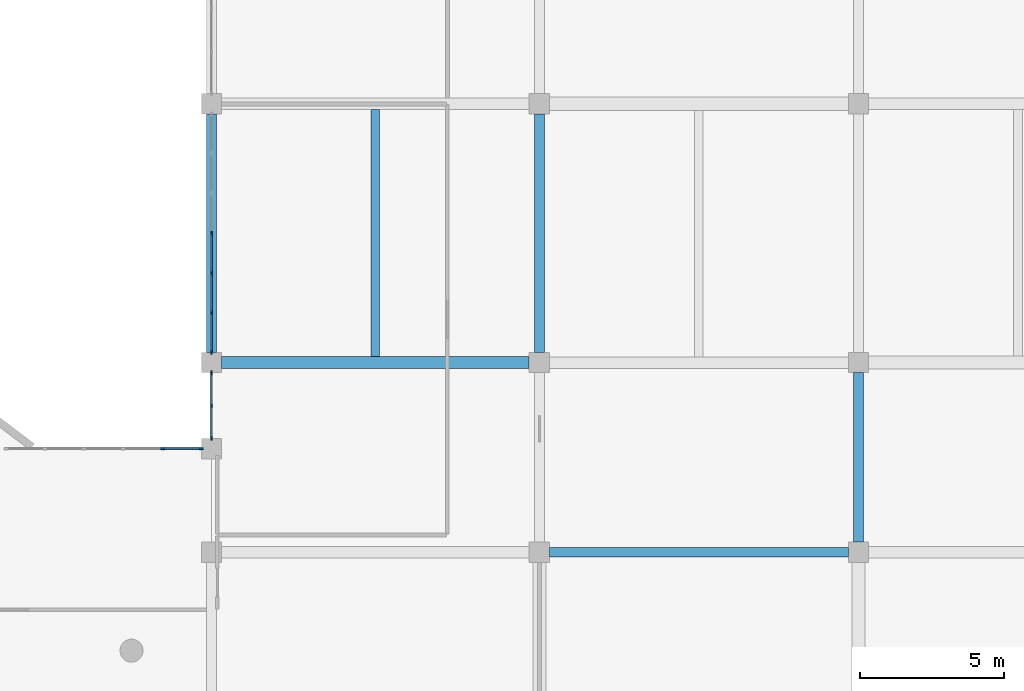
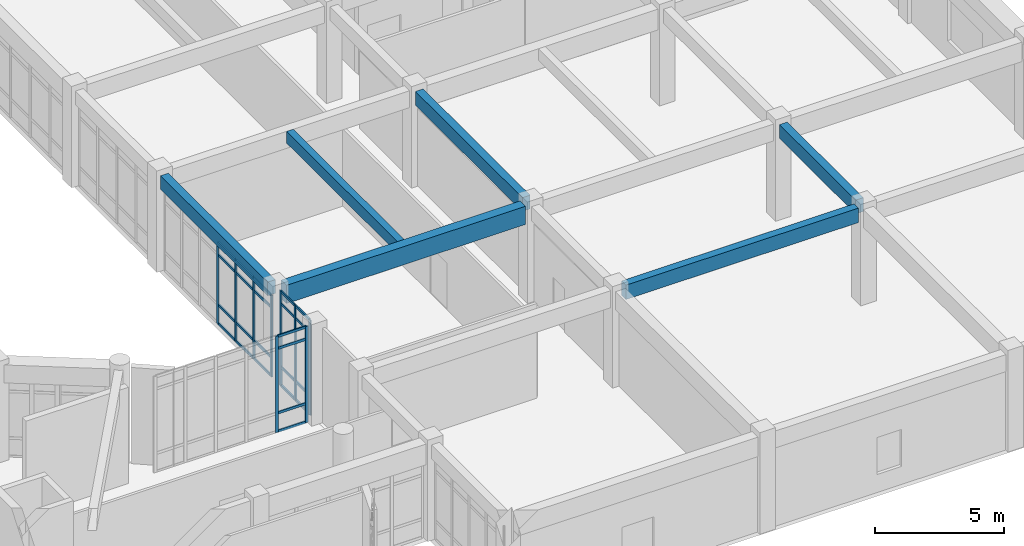
# One storey, part 25 of 65: 33 members, 6 beams, 3 elements without a shape of their own.
"""IFC4 building model written with IfcOpenShell, lengths in metres."""

import ifcopenshell
import ifcopenshell.guid

model = None  # the IFC model being written
_history = None  # IfcOwnerHistory: only IFC2X3 demands one
_inside = {}  # id of a spatial element -> (the spatial element, [elements in it])
_under = {}  # id of a project, library or spatial element -> (it, [spatial elements below it])
_declared = {}  # id of a project -> (the project, [libraries it declares])
_typed = {}  # id of a type object -> (the type object, [elements of that type])
_made_of = {}  # id of a material, layer set ... -> (it, [elements and type objects made of it])


def new_model(schema):
    """Start an empty IFC model of exactly this schema.

    Asked for "IFC4X3", IfcOpenShell would pick the latest addendum, in which some entities
    have other attributes; the version numbers below select the first issue.
    IFC2X3 requires an IfcOwnerHistory on every rooted entity: one is made here for all.
    """
    global model, _history
    if schema == "IFC4X3":
        model = ifcopenshell.file(schema_version=(4, 3, 0, 0))
    else:
        model = ifcopenshell.file(schema=schema)
    _inside.clear()
    _under.clear()
    _declared.clear()
    _typed.clear()
    _made_of.clear()
    _history = None
    if model.schema == "IFC2X3":
        org = make("IfcOrganization", Name="unknown")
        user = make(
            "IfcPersonAndOrganization",
            ThePerson=make("IfcPerson", FamilyName="unknown"),
            TheOrganization=org,
        )
        app = make(
            "IfcApplication",
            ApplicationDeveloper=org,
            Version="unknown",
            ApplicationFullName="unknown",
            ApplicationIdentifier="unknown",
        )
        _history = make(
            "IfcOwnerHistory",
            OwningUser=user,
            OwningApplication=app,
            ChangeAction="ADDED",
            CreationDate=0,
        )
    return model


def make(cls, **values):
    """One entity of the class cls with the attributes given. An attribute that is None is left unset."""
    return model.create_entity(
        cls, **{name: value for name, value in values.items() if value is not None}
    )


def rooted(cls, **values):
    """An entity with a GlobalId (a new one), such as an element, a storey or a relation."""
    return make(cls, GlobalId=ifcopenshell.guid.new(), OwnerHistory=_history, **values)


def si_unit(unit_type, name, prefix=None):
    """IfcSIUnit, for example si_unit("LENGTHUNIT", "METRE", prefix="MILLI")."""
    return make("IfcSIUnit", UnitType=unit_type, Prefix=prefix, Name=name)


def assignment(units):
    """IfcUnitAssignment: the units of a project."""
    return None if units is None else make("IfcUnitAssignment", Units=units)


def point(xyz):
    """IfcCartesianPoint."""
    return None if xyz is None else make("IfcCartesianPoint", Coordinates=xyz)


def direction(xyz):
    """IfcDirection."""
    return None if xyz is None else make("IfcDirection", DirectionRatios=xyz)


def frame(location, z_axis=None, x_axis=None):
    """IfcAxis2Placement3D, a coordinate frame: its origin and axes. An axis left out is left unset."""
    return make(
        "IfcAxis2Placement3D",
        Location=point(location),
        Axis=direction(z_axis),
        RefDirection=direction(x_axis),
    )


def frame_2d(location, x_axis=None):
    """IfcAxis2Placement2D, a coordinate frame in the plane: its origin and x axis."""
    return make(
        "IfcAxis2Placement2D", Location=point(location), RefDirection=direction(x_axis)
    )


def origin():
    """The frame at (0, 0, 0) with its axes left unset."""
    return frame((0.0, 0.0, 0.0))


def origin_2d():
    """The frame at (0, 0) in the plane with its x axis left unset."""
    return frame_2d((0.0, 0.0))


def place(relative_to, where):
    """IfcLocalPlacement: puts the frame where relative to a parent placement (None: the world)."""
    return make(
        "IfcLocalPlacement", PlacementRelTo=relative_to, RelativePlacement=where
    )


def context(
    kind, dimensions, precision=None, world=None, true_north=None, identifier=None
):
    """IfcGeometricRepresentationContext, for example the 3D "Model" context."""
    return make(
        "IfcGeometricRepresentationContext",
        ContextIdentifier=identifier,
        ContextType=kind,
        CoordinateSpaceDimension=dimensions,
        Precision=precision,
        WorldCoordinateSystem=world,
        TrueNorth=true_north,
    )


def subcontext(parent, identifier, kind, view, scale=None):
    """IfcGeometricRepresentationSubContext, for example "Body" below "Model"."""
    return make(
        "IfcGeometricRepresentationSubContext",
        ContextIdentifier=identifier,
        ContextType=kind,
        ParentContext=parent,
        TargetScale=scale,
        TargetView=view,
    )


def project(units=None, contexts=None):
    """IfcProject with its units and contexts."""
    return rooted(
        "IfcProject",
        Name="project",
        RepresentationContexts=contexts,
        UnitsInContext=assignment(units),
    )


def spatial(cls, under=None, at=None, **own):
    """A site, building, storey or space (cls), placed at a placement, below another one or the project."""
    s = rooted(cls, ObjectPlacement=at, **own)
    if under is not None:
        _under.setdefault(under.id(), (under, []))[1].append(s)
    return s


def profile(cls, at=None, kind="AREA", **sizes):
    """A parametric profile (cls). Its sizes go by their IFC names, for example OverallWidth=200.0."""
    return make(cls, ProfileType=kind, Position=at, **sizes)


def rectangle(**sizes):
    """IfcRectangleProfileDef."""
    return profile("IfcRectangleProfileDef", **sizes)


def extrude(swept, where, along, depth):
    """IfcExtrudedAreaSolid: the profile swept, set in the frame where, extruded along a direction by depth."""
    return make(
        "IfcExtrudedAreaSolid",
        SweptArea=swept,
        Position=where,
        ExtrudedDirection=direction(along),
        Depth=depth,
    )


def shape(context_of_items, identifier, shape_type, items):
    """IfcShapeRepresentation: the items that make up one representation, for example the "Body"."""
    return make(
        "IfcShapeRepresentation",
        ContextOfItems=context_of_items,
        RepresentationIdentifier=identifier,
        RepresentationType=shape_type,
        Items=items,
    )


def material(Name=None, Category=None):
    """IfcMaterial."""
    return make("IfcMaterial", Name=Name, Category=Category)


def layer(
    of_material, thickness, ventilated=None, Name=None, Category=None, Priority=None
):
    """IfcMaterialLayer: one layer of a wall or slab, of a material (None: an air gap)."""
    return make(
        "IfcMaterialLayer",
        Material=of_material,
        LayerThickness=thickness,
        IsVentilated=ventilated,
        Name=Name,
        Category=Category,
        Priority=Priority,
    )


def layer_set(layers, Name=None):
    """IfcMaterialLayerSet."""
    return make("IfcMaterialLayerSet", MaterialLayers=layers, LayerSetName=Name)


def material_profile(
    of_material, cross_section, Name=None, Category=None, Priority=None
):
    """IfcMaterialProfile: a cross section and its material."""
    return make(
        "IfcMaterialProfile",
        Name=Name,
        Material=of_material,
        Profile=cross_section,
        Priority=Priority,
        Category=Category,
    )


def profile_set(profiles, Name=None, composite=None):
    """IfcMaterialProfileSet."""
    return make(
        "IfcMaterialProfileSet",
        Name=Name,
        MaterialProfiles=profiles,
        CompositeProfile=composite,
    )


def made_of(thing, what):
    """Note that an element or type object is made of a material, layer set ...; save() writes the relation."""
    if what is not None:
        _made_of.setdefault(what.id(), (what, []))[1].append(thing)
    return thing


def type_object(cls, material=None, **own):
    """A type object (cls), such as IfcWallType, which elements share."""
    return made_of(rooted(cls, **own), material)


def element(
    cls,
    number,
    at=None,
    inside=None,
    cuts=None,
    type_object=None,
    material=None,
    context=None,
    identifier="Body",
    shape_type=None,
    held_by="IfcProductDefinitionShape",
    body=None,
    shapes=None,
    **own,
):
    """One element of the class cls, such as IfcWall. Its Tag is "e" and its number.

    at: its placement. inside: the storey or other place that contains it. cuts: it is an
    opening in that element (IfcRelVoidsElement). A single representation is given by context,
    identifier, shape_type and body (its items); several are given by shapes. held_by: the class
    of the entity that holds the representations. save() writes the other relations.
    """
    e = rooted(cls, Tag="e%d" % number, ObjectPlacement=at, **own)
    if body is not None:
        shapes = [shape(context, identifier, shape_type, body)]
    if shapes is not None:
        e.Representation = make(held_by, Representations=shapes)
    if inside is not None:
        _inside.setdefault(inside.id(), (inside, []))[1].append(e)
    if cuts is not None:
        rooted(
            "IfcRelVoidsElement", RelatingBuildingElement=cuts, RelatedOpeningElement=e
        )
    if type_object is not None:
        _typed.setdefault(type_object.id(), (type_object, []))[1].append(e)
    return made_of(e, material)


def aggregate(whole, parts):
    """IfcRelAggregates: a whole, such as a stair, and the parts it consists of."""
    return rooted("IfcRelAggregates", RelatingObject=whole, RelatedObjects=parts)


def save(model, path):
    """Write the relations noted so far, then the file.

    IfcRelAggregates (storeys below a building ...), IfcRelContainedInSpatialStructure (elements
    in a storey), IfcRelDefinesByType, IfcRelAssociatesMaterial and IfcRelDeclares: one each for
    every whole, place, type object, material and project.
    """
    for whole, parts in _under.values():
        aggregate(whole, parts)
    for where, things in _inside.values():
        rooted(
            "IfcRelContainedInSpatialStructure",
            RelatedElements=things,
            RelatingStructure=where,
        )
    for kind, things in _typed.values():
        rooted("IfcRelDefinesByType", RelatedObjects=things, RelatingType=kind)
    for what, things in _made_of.values():
        rooted("IfcRelAssociatesMaterial", RelatedObjects=things, RelatingMaterial=what)
    for by, libraries in _declared.values():
        rooted("IfcRelDeclares", RelatingContext=by, RelatedDefinitions=libraries)
    model.write(path)


model = new_model("IFC4")

# Units and contexts
model_context = context("Model", 3, precision=1e-05, world=origin(), true_north=direction((0.0, 1.0)))
body_context = subcontext(model_context, "Body", "Model", "MODEL_VIEW")
ifc_project = project(units=[si_unit("LENGTHUNIT", "METRE"), si_unit("AREAUNIT", "SQUARE_METRE"), si_unit("VOLUMEUNIT", "CUBIC_METRE"), si_unit("PLANEANGLEUNIT", "RADIAN"), si_unit("MASSUNIT", "GRAM", prefix="KILO")], contexts=[model_context])

# Site, building, storey
site_placement = place(None, origin())
site = spatial("IfcSite", under=ifc_project, at=site_placement, CompositionType="ELEMENT")
building_placement = place(site_placement, origin())
building = spatial("IfcBuilding", under=site, at=building_placement, Name="Miralva Faculty of Natural Sciences", CompositionType="ELEMENT")
storey_placement = place(building_placement, frame((0.0, 0.0, 10.199951171875)))
storey = spatial("IfcBuildingStorey", under=building, at=storey_placement, Name="L02", CompositionType="ELEMENT", Elevation=10.199951171875)

# Beams
ifc_material_1 = material(Name="Concrete C40/50", Category="concrete")
ifc_material_profile_1 = material_profile(ifc_material_1, rectangle(XDim=0.35009765625, YDim=0.64990234375, at=origin_2d()), Name="RC 350x650")
ifc_profile_set_1 = profile_set([ifc_material_profile_1], Name="Concrete C40/50")
beam_type_1 = type_object("IfcBeamType", Name="BM-B05", PredefinedType="BEAM", material=ifc_profile_set_1)
for number, where, z_axis, x_axis, name in (
    (1, (133.800048828125, 30.35009765625, 4.195068359375), (0.0, 1.0, 0.0), (-1.0, 0.0, 0.0), "Girder NS L02-122"),
    (2, (145.199951171875, 30.35009765625, 4.195068359375), (0.0, 1.0, 0.0), (-1.0, 0.0, 0.0), "Girder NS L02-129"),
):
    element("IfcBeam", number, at=place(storey_placement, frame(where, z_axis=z_axis, x_axis=x_axis)), inside=storey, type_object=beam_type_1, Name=name, PredefinedType="BEAM", context=body_context, shape_type="SweptSolid", body=[
        extrude(rectangle(XDim=0.35009765625, YDim=0.64990234375, at=origin_2d()), origin(), (0.0, 0.0, 1.0), 8.2998046875),
    ])
beam_1_placement = place(storey_placement, frame((156.300048828125, 23.75, 4.195068359375), z_axis=(0.0, 1.0, 0.0), x_axis=(-1.0, 0.0, 0.0)))
element("IfcBeam", 3, at=beam_1_placement, inside=storey, type_object=beam_type_1, Name="Girder NS L02-135", PredefinedType="BEAM", context=body_context, shape_type="SweptSolid", body=[
    extrude(rectangle(XDim=0.35009765625, YDim=0.64990234375, at=origin_2d()), origin(), (0.0, 0.0, 1.0), 5.89990234375),
])
ifc_material_profile_2 = material_profile(ifc_material_1, rectangle(XDim=0.340087890625, YDim=0.679931640625, at=origin_2d()), Name="RC 340x680")
ifc_profile_set_2 = profile_set([ifc_material_profile_2], Name="Concrete C40/50")
beam_type_2 = type_object("IfcBeamType", Name="BM-BG04", PredefinedType="BEAM", material=ifc_profile_set_2)
beam_2_placement = place(storey_placement, frame((145.550048828125, 23.39990234375, 4.179931640625), z_axis=(1.0, 0.0, 0.0), x_axis=(0.0, 1.0, 0.0)))
element("IfcBeam", 4, at=beam_2_placement, inside=storey, type_object=beam_type_2, Name="Girder EW L02-23", PredefinedType="BEAM", context=body_context, shape_type="SweptSolid", body=[
    extrude(rectangle(XDim=0.340087890625, YDim=0.679931640625, at=origin_2d()), origin(), (0.0, 0.0, 1.0), 10.39990234375),
])
ifc_material_profile_3 = material_profile(ifc_material_1, rectangle(XDim=0.419921875, YDim=0.860107421875, at=origin_2d()), Name="RC 420x860")
ifc_profile_set_3 = profile_set([ifc_material_profile_3], Name="Concrete C40/50")
beam_type_3 = type_object("IfcBeamType", Name="BM-BG12", PredefinedType="BEAM", material=ifc_profile_set_3)
beam_3_placement = place(storey_placement, frame((134.14990234375, 30.0, 4.090087890625), z_axis=(1.0, 0.0, 0.0), x_axis=(0.0, 1.0, 0.0)))
element("IfcBeam", 5, at=beam_3_placement, inside=storey, type_object=beam_type_3, Name="Girder EW L02-31", PredefinedType="BEAM", context=body_context, shape_type="SweptSolid", body=[
    extrude(rectangle(XDim=0.419921875, YDim=0.860107421875, at=origin_2d()), origin(), (0.0, 0.0, 1.0), 10.7001953125),
])
ifc_material_profile_4 = material_profile(ifc_material_1, rectangle(XDim=0.300048828125, YDim=0.550048828125, at=origin_2d()), Name="RC 300x550")
ifc_profile_set_4 = profile_set([ifc_material_profile_4], Name="Concrete C40/50")
beam_type_4 = type_object("IfcBeamType", Name="BM-J02", PredefinedType="JOIST", material=ifc_profile_set_4)
beam_4_placement = place(storey_placement, frame((139.5, 30.2099609375, 4.2451171875), z_axis=(0.0, 1.0, 0.0), x_axis=(-1.0, 0.0, 0.0)))
element("IfcBeam", 6, at=beam_4_placement, inside=storey, type_object=beam_type_4, Name="Floor joist L02-9", PredefinedType="JOIST", context=body_context, shape_type="SweptSolid", body=[
    extrude(rectangle(XDim=0.300048828125, YDim=0.550048828125, at=origin_2d()), origin(), (0.0, 0.0, 1.0), 8.590087890625),
])

# Curtain wall, members
ifc_material_2 = material(Name="Laminated solar-control glass", Category="glass")
ifc_layer = layer(ifc_material_2, 0.179931640625, Name="CW-COM-L01")
ifc_layer_set = layer_set([ifc_layer], Name="Laminated solar-control glass")
curtain_wall_type = type_object("IfcCurtainWallType", Name="CW-COM-L01", PredefinedType="USERDEFINED", material=ifc_layer_set)
curtain_wall_1_placement = place(storey_placement, origin())
curtain_wall_1 = element("IfcCurtainWall", 7, at=curtain_wall_1_placement, inside=storey, type_object=curtain_wall_type, Name="Curtain wall CW-10 L02-269", ObjectType="UNITISED CURTAIN WALL", PredefinedType="USERDEFINED")
ifc_material_3 = material(Name="Anodised aluminium", Category="aluminium")
ifc_material_profile_5 = material_profile(ifc_material_3, rectangle(XDim=0.06005859375, YDim=0.139892578125, at=origin_2d()), Name="MULLION 60x140")
ifc_profile_set_5 = profile_set([ifc_material_profile_5], Name="Anodised aluminium")
member_type_1 = type_object("IfcMemberType", Name="CW-M03", PredefinedType="MULLION", material=ifc_profile_set_5)
member_1_placement = place(storey_placement, frame((133.800048828125, 27.364990234375, 0.0), z_axis=(0.0, 0.0, 1.0), x_axis=(-1.0, 0.0, 0.0)))
member_1 = element("IfcMember", 8, at=member_1_placement, type_object=member_type_1, Name="CW-10 mullion 1", PredefinedType="MULLION", context=body_context, shape_type="SweptSolid", body=[
    extrude(rectangle(XDim=0.06005859375, YDim=0.139892578125, at=origin_2d()), origin(), (0.0, 0.0, 1.0), 4.5),
])
member_2_placement = place(storey_placement, frame((133.800048828125, 28.5, 0.0), z_axis=(0.0, 0.0, 1.0), x_axis=(-1.0, 0.0, 0.0)))
member_2 = element("IfcMember", 9, at=member_2_placement, type_object=member_type_1, Name="CW-10 mullion 2", PredefinedType="MULLION", context=body_context, shape_type="SweptSolid", body=[
    extrude(rectangle(XDim=0.06005859375, YDim=0.139892578125, at=origin_2d()), origin(), (0.0, 0.0, 1.0), 4.5),
])
member_3_placement = place(storey_placement, frame((133.800048828125, 29.635009765625, 0.0), z_axis=(0.0, 0.0, 1.0), x_axis=(-1.0, 0.0, 0.0)))
member_3 = element("IfcMember", 10, at=member_3_placement, type_object=member_type_1, Name="CW-10 mullion 3", PredefinedType="MULLION", context=body_context, shape_type="SweptSolid", body=[
    extrude(rectangle(XDim=0.06005859375, YDim=0.139892578125, at=origin_2d()), origin(), (0.0, 0.0, 1.0), 4.5),
])

curtain_wall_2_placement = place(storey_placement, origin())
curtain_wall_2 = element("IfcCurtainWall", 11, at=curtain_wall_2_placement, inside=storey, type_object=curtain_wall_type, Name="Curtain wall CW-10 L02-270", ObjectType="UNITISED CURTAIN WALL", PredefinedType="USERDEFINED")
member_4_placement = place(storey_placement, frame((133.800048828125, 30.364990234375, 0.0), z_axis=(0.0, 0.0, 1.0), x_axis=(-1.0, 0.0, 0.0)))
member_4 = element("IfcMember", 12, at=member_4_placement, type_object=member_type_1, Name="CW-10 mullion 1", PredefinedType="MULLION", context=body_context, shape_type="SweptSolid", body=[
    extrude(rectangle(XDim=0.06005859375, YDim=0.139892578125, at=origin_2d()), origin(), (0.0, 0.0, 1.0), 3.864990234375),
])
member_5_placement = place(storey_placement, frame((133.800048828125, 31.723388671875, 0.0), z_axis=(0.0, 0.0, 1.0), x_axis=(-1.0, 0.0, 0.0)))
member_5 = element("IfcMember", 13, at=member_5_placement, type_object=member_type_1, Name="CW-10 mullion 2", PredefinedType="MULLION", context=body_context, shape_type="SweptSolid", body=[
    extrude(rectangle(XDim=0.06005859375, YDim=0.139892578125, at=origin_2d()), origin(), (0.0, 0.0, 1.0), 3.864990234375),
])
member_6_placement = place(storey_placement, frame((133.800048828125, 33.111572265625, 0.0), z_axis=(0.0, 0.0, 1.0), x_axis=(-1.0, 0.0, 0.0)))
member_6 = element("IfcMember", 14, at=member_6_placement, type_object=member_type_1, Name="CW-10 mullion 3", PredefinedType="MULLION", context=body_context, shape_type="SweptSolid", body=[
    extrude(rectangle(XDim=0.06005859375, YDim=0.139892578125, at=origin_2d()), origin(), (0.0, 0.0, 1.0), 3.864990234375),
])
member_7_placement = place(storey_placement, frame((133.800048828125, 34.5, 0.0), z_axis=(0.0, 0.0, 1.0), x_axis=(-1.0, 0.0, 0.0)))
member_7 = element("IfcMember", 15, at=member_7_placement, type_object=member_type_1, Name="CW-10 mullion 4", PredefinedType="MULLION", context=body_context, shape_type="SweptSolid", body=[
    extrude(rectangle(XDim=0.06005859375, YDim=0.139892578125, at=origin_2d()), origin(), (0.0, 0.0, 1.0), 3.864990234375),
])

curtain_wall_3_placement = place(storey_placement, origin())
curtain_wall_3 = element("IfcCurtainWall", 16, at=curtain_wall_3_placement, inside=storey, type_object=curtain_wall_type, Name="Curtain wall CW-10 L02-299", ObjectType="UNITISED CURTAIN WALL", PredefinedType="USERDEFINED")
member_8_placement = place(storey_placement, frame((132.095947265625, 27.0, 0.0), z_axis=(0.0, 0.0, 1.0), x_axis=(0.0, 1.0, 0.0)))
member_8 = element("IfcMember", 17, at=member_8_placement, type_object=member_type_1, Name="CW-10 mullion 5", PredefinedType="MULLION", context=body_context, shape_type="SweptSolid", body=[
    extrude(rectangle(XDim=0.06005859375, YDim=0.139892578125, at=origin_2d()), origin(), (0.0, 0.0, 1.0), 4.550048828125),
])
member_9_placement = place(storey_placement, frame((133.43505859375, 27.0, 0.0), z_axis=(0.0, 0.0, 1.0), x_axis=(0.0, 1.0, 0.0)))
member_9 = element("IfcMember", 18, at=member_9_placement, type_object=member_type_1, Name="CW-10 mullion 6", PredefinedType="MULLION", context=body_context, shape_type="SweptSolid", body=[
    extrude(rectangle(XDim=0.06005859375, YDim=0.139892578125, at=origin_2d()), origin(), (0.0, 0.0, 1.0), 4.550048828125),
])

# Member
ifc_material_profile_6 = material_profile(ifc_material_3, rectangle(XDim=0.06005859375, YDim=0.1201171875, at=origin_2d()), Name="TRANSOM 60x120")
ifc_profile_set_6 = profile_set([ifc_material_profile_6], Name="Anodised aluminium")
member_type_2 = type_object("IfcMemberType", Name="CW-T02", PredefinedType="USERDEFINED", material=ifc_profile_set_6)
member_10_placement = place(storey_placement, frame((133.800048828125, 27.39501953125, 0.030029296875), z_axis=(0.0, 1.0, 0.0), x_axis=(-1.0, 0.0, 0.0)))
member_10 = element("IfcMember", 19, at=member_10_placement, type_object=member_type_2, Name="CW-10 transom 1.1", ObjectType="TRANSOM", PredefinedType="USERDEFINED", context=body_context, shape_type="SweptSolid", body=[
    extrude(rectangle(XDim=0.06005859375, YDim=0.1201171875, at=origin_2d()), origin(), (0.0, 0.0, 1.0), 1.074951171875),
])

member_11_placement = place(storey_placement, frame((133.800048828125, 27.39501953125, 0.900146484375), z_axis=(0.0, 1.0, 0.0), x_axis=(-1.0, 0.0, 0.0)))
member_11 = element("IfcMember", 20, at=member_11_placement, type_object=member_type_2, Name="CW-10 transom 1.2", ObjectType="TRANSOM", PredefinedType="USERDEFINED", context=body_context, shape_type="SweptSolid", body=[
    extrude(rectangle(XDim=0.06005859375, YDim=0.1201171875, at=origin_2d()), origin(), (0.0, 0.0, 1.0), 1.074951171875),
])

member_12_placement = place(storey_placement, frame((133.800048828125, 27.39501953125, 3.900146484375), z_axis=(0.0, 1.0, 0.0), x_axis=(-1.0, 0.0, 0.0)))
member_12 = element("IfcMember", 21, at=member_12_placement, type_object=member_type_2, Name="CW-10 transom 1.3", ObjectType="TRANSOM", PredefinedType="USERDEFINED", context=body_context, shape_type="SweptSolid", body=[
    extrude(rectangle(XDim=0.06005859375, YDim=0.1201171875, at=origin_2d()), origin(), (0.0, 0.0, 1.0), 1.074951171875),
])

member_13_placement = place(storey_placement, frame((133.800048828125, 27.39501953125, 4.469970703125), z_axis=(0.0, 1.0, 0.0), x_axis=(-1.0, 0.0, 0.0)))
member_13 = element("IfcMember", 22, at=member_13_placement, type_object=member_type_2, Name="CW-10 transom 1.4", ObjectType="TRANSOM", PredefinedType="USERDEFINED", context=body_context, shape_type="SweptSolid", body=[
    extrude(rectangle(XDim=0.06005859375, YDim=0.1201171875, at=origin_2d()), origin(), (0.0, 0.0, 1.0), 1.074951171875),
])

member_14_placement = place(storey_placement, frame((133.800048828125, 28.530029296875, 0.030029296875), z_axis=(0.0, 1.0, 0.0), x_axis=(-1.0, 0.0, 0.0)))
member_14 = element("IfcMember", 23, at=member_14_placement, type_object=member_type_2, Name="CW-10 transom 2.1", ObjectType="TRANSOM", PredefinedType="USERDEFINED", context=body_context, shape_type="SweptSolid", body=[
    extrude(rectangle(XDim=0.06005859375, YDim=0.1201171875, at=origin_2d()), origin(), (0.0, 0.0, 1.0), 1.074951171875),
])

member_15_placement = place(storey_placement, frame((133.800048828125, 28.530029296875, 0.900146484375), z_axis=(0.0, 1.0, 0.0), x_axis=(-1.0, 0.0, 0.0)))
member_15 = element("IfcMember", 24, at=member_15_placement, type_object=member_type_2, Name="CW-10 transom 2.2", ObjectType="TRANSOM", PredefinedType="USERDEFINED", context=body_context, shape_type="SweptSolid", body=[
    extrude(rectangle(XDim=0.06005859375, YDim=0.1201171875, at=origin_2d()), origin(), (0.0, 0.0, 1.0), 1.074951171875),
])

member_16_placement = place(storey_placement, frame((133.800048828125, 28.530029296875, 3.900146484375), z_axis=(0.0, 1.0, 0.0), x_axis=(-1.0, 0.0, 0.0)))
member_16 = element("IfcMember", 25, at=member_16_placement, type_object=member_type_2, Name="CW-10 transom 2.3", ObjectType="TRANSOM", PredefinedType="USERDEFINED", context=body_context, shape_type="SweptSolid", body=[
    extrude(rectangle(XDim=0.06005859375, YDim=0.1201171875, at=origin_2d()), origin(), (0.0, 0.0, 1.0), 1.074951171875),
])

member_17_placement = place(storey_placement, frame((133.800048828125, 28.530029296875, 4.469970703125), z_axis=(0.0, 1.0, 0.0), x_axis=(-1.0, 0.0, 0.0)))
member_17 = element("IfcMember", 26, at=member_17_placement, type_object=member_type_2, Name="CW-10 transom 2.4", ObjectType="TRANSOM", PredefinedType="USERDEFINED", context=body_context, shape_type="SweptSolid", body=[
    extrude(rectangle(XDim=0.06005859375, YDim=0.1201171875, at=origin_2d()), origin(), (0.0, 0.0, 1.0), 1.074951171875),
])

aggregate(curtain_wall_1, [member_1, member_2, member_3, member_10, member_11, member_12, member_13, member_14, member_15, member_16, member_17])

member_18_placement = place(storey_placement, frame((133.800048828125, 30.39501953125, 0.030029296875), z_axis=(0.0, 1.0, 0.0), x_axis=(-1.0, 0.0, 0.0)))
member_18 = element("IfcMember", 27, at=member_18_placement, type_object=member_type_2, Name="CW-10 transom 1.1", ObjectType="TRANSOM", PredefinedType="USERDEFINED", context=body_context, shape_type="SweptSolid", body=[
    extrude(rectangle(XDim=0.06005859375, YDim=0.1201171875, at=origin_2d()), origin(), (0.0, 0.0, 1.0), 1.29833984375),
])

member_19_placement = place(storey_placement, frame((133.800048828125, 30.39501953125, 0.900146484375), z_axis=(0.0, 1.0, 0.0), x_axis=(-1.0, 0.0, 0.0)))
member_19 = element("IfcMember", 28, at=member_19_placement, type_object=member_type_2, Name="CW-10 transom 1.2", ObjectType="TRANSOM", PredefinedType="USERDEFINED", context=body_context, shape_type="SweptSolid", body=[
    extrude(rectangle(XDim=0.06005859375, YDim=0.1201171875, at=origin_2d()), origin(), (0.0, 0.0, 1.0), 1.29833984375),
])

member_20_placement = place(storey_placement, frame((133.800048828125, 30.39501953125, 3.26513671875), z_axis=(0.0, 1.0, 0.0), x_axis=(-1.0, 0.0, 0.0)))
member_20 = element("IfcMember", 29, at=member_20_placement, type_object=member_type_2, Name="CW-10 transom 1.3", ObjectType="TRANSOM", PredefinedType="USERDEFINED", context=body_context, shape_type="SweptSolid", body=[
    extrude(rectangle(XDim=0.06005859375, YDim=0.1201171875, at=origin_2d()), origin(), (0.0, 0.0, 1.0), 1.29833984375),
])

member_21_placement = place(storey_placement, frame((133.800048828125, 30.39501953125, 3.8349609375), z_axis=(0.0, 1.0, 0.0), x_axis=(-1.0, 0.0, 0.0)))
member_21 = element("IfcMember", 30, at=member_21_placement, type_object=member_type_2, Name="CW-10 transom 1.4", ObjectType="TRANSOM", PredefinedType="USERDEFINED", context=body_context, shape_type="SweptSolid", body=[
    extrude(rectangle(XDim=0.06005859375, YDim=0.1201171875, at=origin_2d()), origin(), (0.0, 0.0, 1.0), 1.29833984375),
])

member_22_placement = place(storey_placement, frame((133.800048828125, 31.75341796875, 0.030029296875), z_axis=(0.0, 1.0, 0.0), x_axis=(-1.0, 0.0, 0.0)))
member_22 = element("IfcMember", 31, at=member_22_placement, type_object=member_type_2, Name="CW-10 transom 2.1", ObjectType="TRANSOM", PredefinedType="USERDEFINED", context=body_context, shape_type="SweptSolid", body=[
    extrude(rectangle(XDim=0.06005859375, YDim=0.1201171875, at=origin_2d()), origin(), (0.0, 0.0, 1.0), 1.328369140625),
])

member_23_placement = place(storey_placement, frame((133.800048828125, 31.75341796875, 0.900146484375), z_axis=(0.0, 1.0, 0.0), x_axis=(-1.0, 0.0, 0.0)))
member_23 = element("IfcMember", 32, at=member_23_placement, type_object=member_type_2, Name="CW-10 transom 2.2", ObjectType="TRANSOM", PredefinedType="USERDEFINED", context=body_context, shape_type="SweptSolid", body=[
    extrude(rectangle(XDim=0.06005859375, YDim=0.1201171875, at=origin_2d()), origin(), (0.0, 0.0, 1.0), 1.328369140625),
])

member_24_placement = place(storey_placement, frame((133.800048828125, 31.75341796875, 3.26513671875), z_axis=(0.0, 1.0, 0.0), x_axis=(-1.0, 0.0, 0.0)))
member_24 = element("IfcMember", 33, at=member_24_placement, type_object=member_type_2, Name="CW-10 transom 2.3", ObjectType="TRANSOM", PredefinedType="USERDEFINED", context=body_context, shape_type="SweptSolid", body=[
    extrude(rectangle(XDim=0.06005859375, YDim=0.1201171875, at=origin_2d()), origin(), (0.0, 0.0, 1.0), 1.328369140625),
])

member_25_placement = place(storey_placement, frame((133.800048828125, 31.75341796875, 3.8349609375), z_axis=(0.0, 1.0, 0.0), x_axis=(-1.0, 0.0, 0.0)))
member_25 = element("IfcMember", 34, at=member_25_placement, type_object=member_type_2, Name="CW-10 transom 2.4", ObjectType="TRANSOM", PredefinedType="USERDEFINED", context=body_context, shape_type="SweptSolid", body=[
    extrude(rectangle(XDim=0.06005859375, YDim=0.1201171875, at=origin_2d()), origin(), (0.0, 0.0, 1.0), 1.328369140625),
])

member_26_placement = place(storey_placement, frame((133.800048828125, 33.1416015625, 0.030029296875), z_axis=(0.0, 1.0, 0.0), x_axis=(-1.0, 0.0, 0.0)))
member_26 = element("IfcMember", 35, at=member_26_placement, type_object=member_type_2, Name="CW-10 transom 3.1", ObjectType="TRANSOM", PredefinedType="USERDEFINED", context=body_context, shape_type="SweptSolid", body=[
    extrude(rectangle(XDim=0.06005859375, YDim=0.1201171875, at=origin_2d()), origin(), (0.0, 0.0, 1.0), 1.328369140625),
])

member_27_placement = place(storey_placement, frame((133.800048828125, 33.1416015625, 0.900146484375), z_axis=(0.0, 1.0, 0.0), x_axis=(-1.0, 0.0, 0.0)))
member_27 = element("IfcMember", 36, at=member_27_placement, type_object=member_type_2, Name="CW-10 transom 3.2", ObjectType="TRANSOM", PredefinedType="USERDEFINED", context=body_context, shape_type="SweptSolid", body=[
    extrude(rectangle(XDim=0.06005859375, YDim=0.1201171875, at=origin_2d()), origin(), (0.0, 0.0, 1.0), 1.328369140625),
])

member_28_placement = place(storey_placement, frame((133.800048828125, 33.1416015625, 3.26513671875), z_axis=(0.0, 1.0, 0.0), x_axis=(-1.0, 0.0, 0.0)))
member_28 = element("IfcMember", 37, at=member_28_placement, type_object=member_type_2, Name="CW-10 transom 3.3", ObjectType="TRANSOM", PredefinedType="USERDEFINED", context=body_context, shape_type="SweptSolid", body=[
    extrude(rectangle(XDim=0.06005859375, YDim=0.1201171875, at=origin_2d()), origin(), (0.0, 0.0, 1.0), 1.328369140625),
])

member_29_placement = place(storey_placement, frame((133.800048828125, 33.1416015625, 3.8349609375), z_axis=(0.0, 1.0, 0.0), x_axis=(-1.0, 0.0, 0.0)))
member_29 = element("IfcMember", 38, at=member_29_placement, type_object=member_type_2, Name="CW-10 transom 3.4", ObjectType="TRANSOM", PredefinedType="USERDEFINED", context=body_context, shape_type="SweptSolid", body=[
    extrude(rectangle(XDim=0.06005859375, YDim=0.1201171875, at=origin_2d()), origin(), (0.0, 0.0, 1.0), 1.328369140625),
])

aggregate(curtain_wall_2, [member_4, member_5, member_6, member_7, member_18, member_19, member_20, member_21, member_22, member_23, member_24, member_25, member_26, member_27, member_28, member_29])

member_30_placement = place(storey_placement, frame((132.1259765625, 27.0, 0.030029296875), z_axis=(1.0, 0.0, 0.0), x_axis=(0.0, 1.0, 0.0)))
member_30 = element("IfcMember", 39, at=member_30_placement, type_object=member_type_2, Name="CW-10 transom 5.1", ObjectType="TRANSOM", PredefinedType="USERDEFINED", context=body_context, shape_type="SweptSolid", body=[
    extrude(rectangle(XDim=0.06005859375, YDim=0.1201171875, at=origin_2d()), origin(), (0.0, 0.0, 1.0), 1.279052734375),
])

member_31_placement = place(storey_placement, frame((132.1259765625, 27.0, 0.900146484375), z_axis=(1.0, 0.0, 0.0), x_axis=(0.0, 1.0, 0.0)))
member_31 = element("IfcMember", 40, at=member_31_placement, type_object=member_type_2, Name="CW-10 transom 5.2", ObjectType="TRANSOM", PredefinedType="USERDEFINED", context=body_context, shape_type="SweptSolid", body=[
    extrude(rectangle(XDim=0.06005859375, YDim=0.1201171875, at=origin_2d()), origin(), (0.0, 0.0, 1.0), 1.279052734375),
])

member_32_placement = place(storey_placement, frame((132.1259765625, 27.0, 3.949951171875), z_axis=(1.0, 0.0, 0.0), x_axis=(0.0, 1.0, 0.0)))
member_32 = element("IfcMember", 41, at=member_32_placement, type_object=member_type_2, Name="CW-10 transom 5.3", ObjectType="TRANSOM", PredefinedType="USERDEFINED", context=body_context, shape_type="SweptSolid", body=[
    extrude(rectangle(XDim=0.06005859375, YDim=0.1201171875, at=origin_2d()), origin(), (0.0, 0.0, 1.0), 1.279052734375),
])

member_33_placement = place(storey_placement, frame((132.1259765625, 27.0, 4.52001953125), z_axis=(1.0, 0.0, 0.0), x_axis=(0.0, 1.0, 0.0)))
member_33 = element("IfcMember", 42, at=member_33_placement, type_object=member_type_2, Name="CW-10 transom 5.4", ObjectType="TRANSOM", PredefinedType="USERDEFINED", context=body_context, shape_type="SweptSolid", body=[
    extrude(rectangle(XDim=0.06005859375, YDim=0.1201171875, at=origin_2d()), origin(), (0.0, 0.0, 1.0), 1.279052734375),
])

aggregate(curtain_wall_3, [member_8, member_9, member_30, member_31, member_32, member_33])

save(model, "model.ifc")
